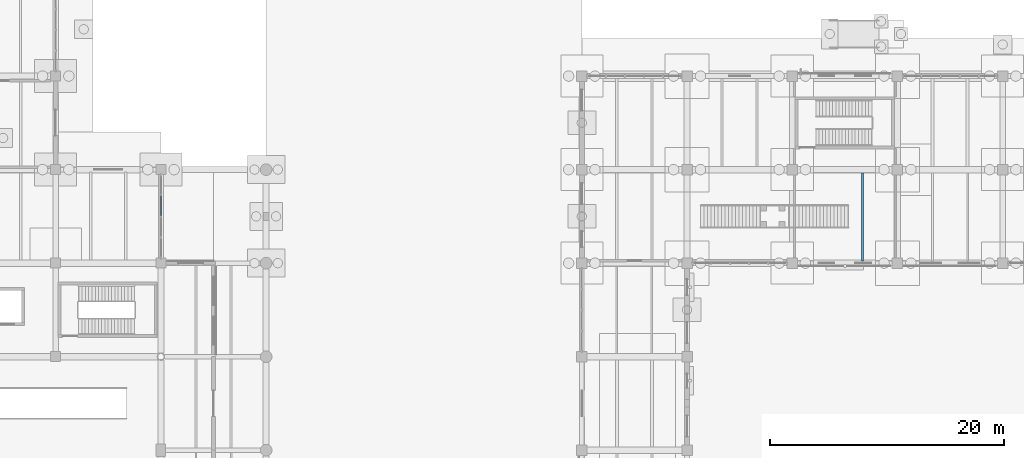
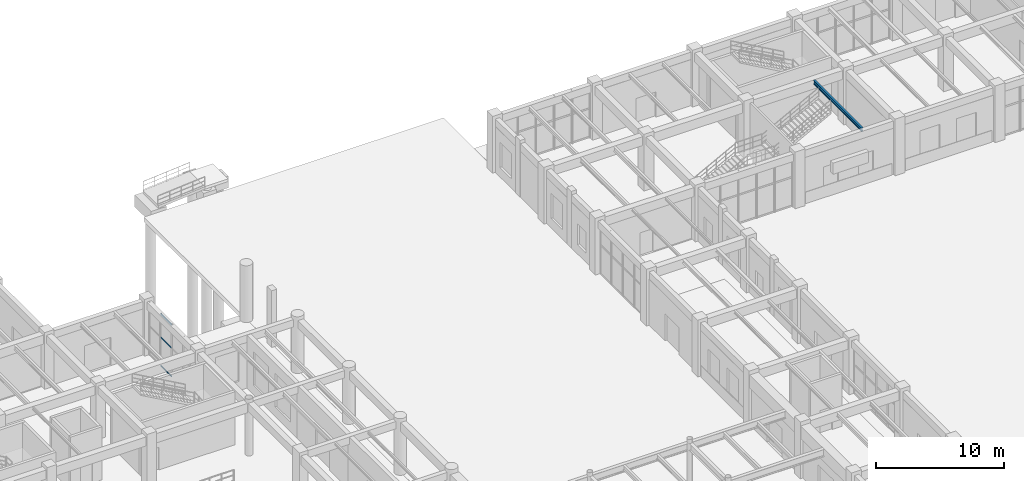
# One storey, part 50 of 121: 3 members, 1 beam, 1 element without a shape of its own.
"""IFC4 building model written with IfcOpenShell, lengths in metres."""

from ifc_helpers import new_model, si_unit, derived_unit, direction, frame, origin, origin_2d, place, context, subcontext, project, spatial, hollow_rectangle, i_section, extrude, material, material_profile, profile_set, type_object, element, aggregate, save


model = new_model("IFC4")

# Units and contexts
model_context = context("Model", 3, precision=1e-05, world=origin(), true_north=direction((0.0, 1.0)))
body_context = subcontext(model_context, "Body", "Model", "MODEL_VIEW")
ifc_project = project(units=[si_unit("LENGTHUNIT", "METRE"), si_unit("AREAUNIT", "SQUARE_METRE"), si_unit("VOLUMEUNIT", "CUBIC_METRE"), si_unit("PLANEANGLEUNIT", "RADIAN"), si_unit("MASSUNIT", "GRAM", prefix="KILO"), derived_unit("THERMALTRANSMITTANCEUNIT", [(si_unit("MASSUNIT", "GRAM", prefix="KILO"), 1), (si_unit("TIMEUNIT", "SECOND"), -3), (si_unit("THERMODYNAMICTEMPERATUREUNIT", "KELVIN"), -1)])], contexts=[model_context])

# Site, building, storey
site_placement = place(None, origin())
site = spatial("IfcSite", under=ifc_project, at=site_placement, CompositionType="ELEMENT")
building_placement = place(site_placement, origin())
building = spatial("IfcBuilding", under=site, at=building_placement, Name="Zhenchuan Archway Interchange", CompositionType="ELEMENT")
storey_placement = place(building_placement, origin())
storey = spatial("IfcBuildingStorey", under=building, at=storey_placement, Name="L00", CompositionType="ELEMENT", Elevation=0.0)

# Curtain wall, members
ifc_material_1 = material(Name="Anodised Aluminium", Category="aluminium")
curtain_wall_type = type_object("IfcCurtainWallType", Name="CW_UNIT_4", PredefinedType="NOTDEFINED", material=ifc_material_1)
curtain_wall_placement = place(storey_placement, origin())
curtain_wall = element("IfcCurtainWall", 1, at=curtain_wall_placement, inside=storey, type_object=curtain_wall_type, Name="Unitised curtain wall CW:L00:007", PredefinedType="NOTDEFINED")
ifc_material_profile_1 = material_profile(ifc_material_1, hollow_rectangle(XDim=0.06005859375, YDim=0.139892578125, WallThickness=0.00341796875, InnerFilletRadius=0.00341796875, OuterFilletRadius=0.007080078125, at=origin_2d()), Name="ALU 140x60x3.5")
ifc_profile_set_1 = profile_set([ifc_material_profile_1], Name="Anodised Aluminium")
member_type = type_object("IfcMemberType", Name="CW_TRN_140", PredefinedType="USERDEFINED", material=ifc_profile_set_1)
member_1_placement = place(storey_placement, frame((63.0, 93.743408203125, 0.06005859375), z_axis=(0.0, -1.0, 0.0), x_axis=(1.0, 0.0, 0.0)))
member_1 = element("IfcMember", 2, at=member_1_placement, type_object=member_type, Name="CW:L00:007 transom 1-1", ObjectType="TRANSOM", PredefinedType="USERDEFINED", context=body_context, shape_type="SweptSolid", body=[
    extrude(hollow_rectangle(XDim=0.06005859375, YDim=0.139892578125, WallThickness=0.00341796875, InnerFilletRadius=0.00341796875, OuterFilletRadius=0.007080078125, at=origin_2d()), origin(), (0.0, 0.0, 1.0), 1.683349609375),
])
member_2_placement = place(storey_placement, frame((63.0, 93.743408203125, 2.782958984375), z_axis=(0.0, -1.0, 0.0), x_axis=(1.0, 0.0, 0.0)))
member_2 = element("IfcMember", 3, at=member_2_placement, type_object=member_type, Name="CW:L00:007 transom 1-2", ObjectType="TRANSOM", PredefinedType="USERDEFINED", context=body_context, shape_type="SweptSolid", body=[
    extrude(hollow_rectangle(XDim=0.06005859375, YDim=0.139892578125, WallThickness=0.00341796875, InnerFilletRadius=0.00341796875, OuterFilletRadius=0.007080078125, at=origin_2d()), origin(), (0.0, 0.0, 1.0), 1.683349609375),
])
member_3_placement = place(storey_placement, frame((63.0, 93.743408203125, 5.0), z_axis=(0.0, -1.0, 0.0), x_axis=(1.0, 0.0, 0.0)))
member_3 = element("IfcMember", 4, at=member_3_placement, type_object=member_type, Name="CW:L00:007 transom 1-3", ObjectType="TRANSOM", PredefinedType="USERDEFINED", context=body_context, shape_type="SweptSolid", body=[
    extrude(hollow_rectangle(XDim=0.06005859375, YDim=0.139892578125, WallThickness=0.00341796875, InnerFilletRadius=0.00341796875, OuterFilletRadius=0.007080078125, at=origin_2d()), origin(), (0.0, 0.0, 1.0), 1.683349609375),
])
aggregate(curtain_wall, [member_1, member_2, member_3])

# Beam
ifc_material_2 = material(Name="Steel Q355", Category="steel")
ifc_material_profile_2 = material_profile(ifc_material_2, i_section(OverallWidth=0.175048828125, OverallDepth=0.35009765625, WebThickness=0.007080078125, FlangeThickness=0.010986328125, FilletRadius=0.013916015625, at=origin_2d()), Name="HN 350x175")
ifc_profile_set_2 = profile_set([ifc_material_profile_2], Name="Steel Q355")
beam_type = type_object("IfcBeamType", Name="JST_STL_HN350", PredefinedType="JOIST", material=ifc_profile_set_2)
beam_placement = place(storey_placement, frame((123.0, 88.199951171875, 4.905029296875), z_axis=(0.0, 1.0, 0.0), x_axis=(-1.0, 0.0, 0.0)))
element("IfcBeam", 5, at=beam_placement, inside=storey, type_object=beam_type, Name="Secondary joist 14-15/M-N #2 (L00)", PredefinedType="JOIST", context=body_context, shape_type="SweptSolid", body=[
    extrude(i_section(OverallWidth=0.175048828125, OverallDepth=0.35009765625, WebThickness=0.007080078125, FlangeThickness=0.010986328125, FilletRadius=0.013916015625, at=origin_2d()), origin(), (0.0, 0.0, 1.0), 7.525146484375),
])

save(model, "model.ifc")
